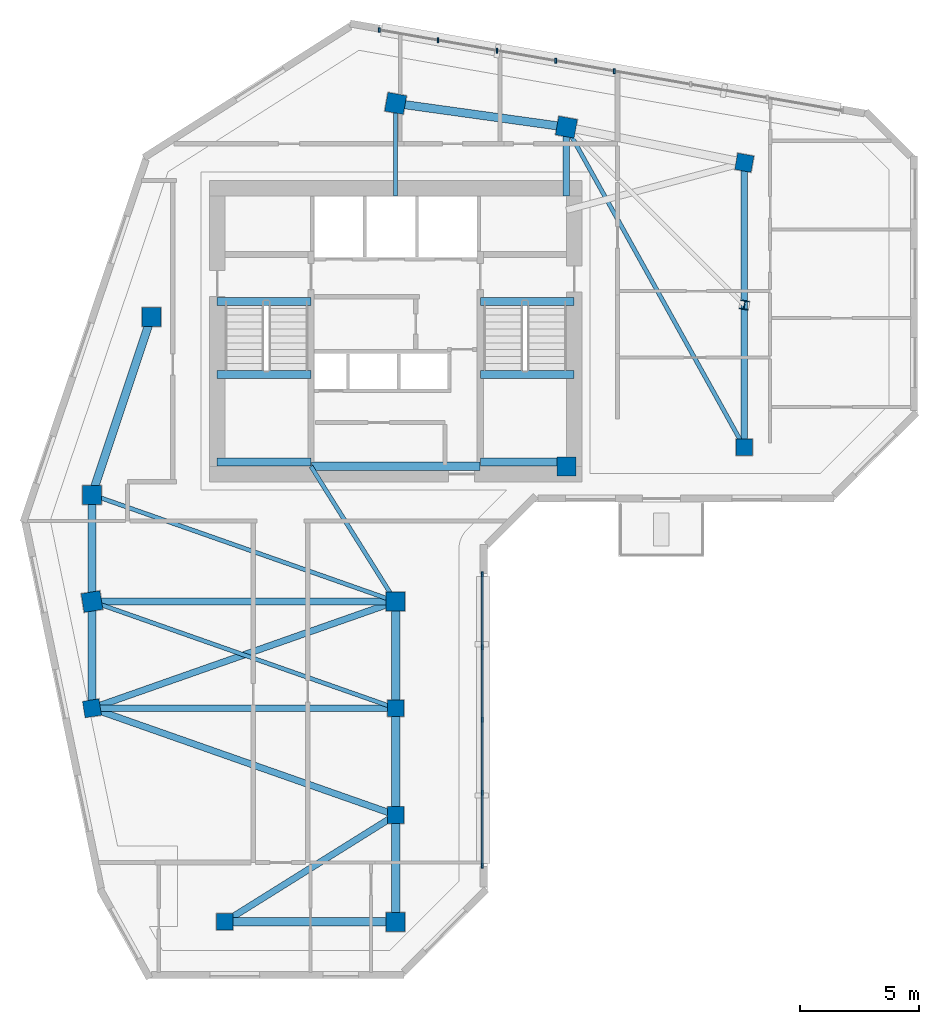
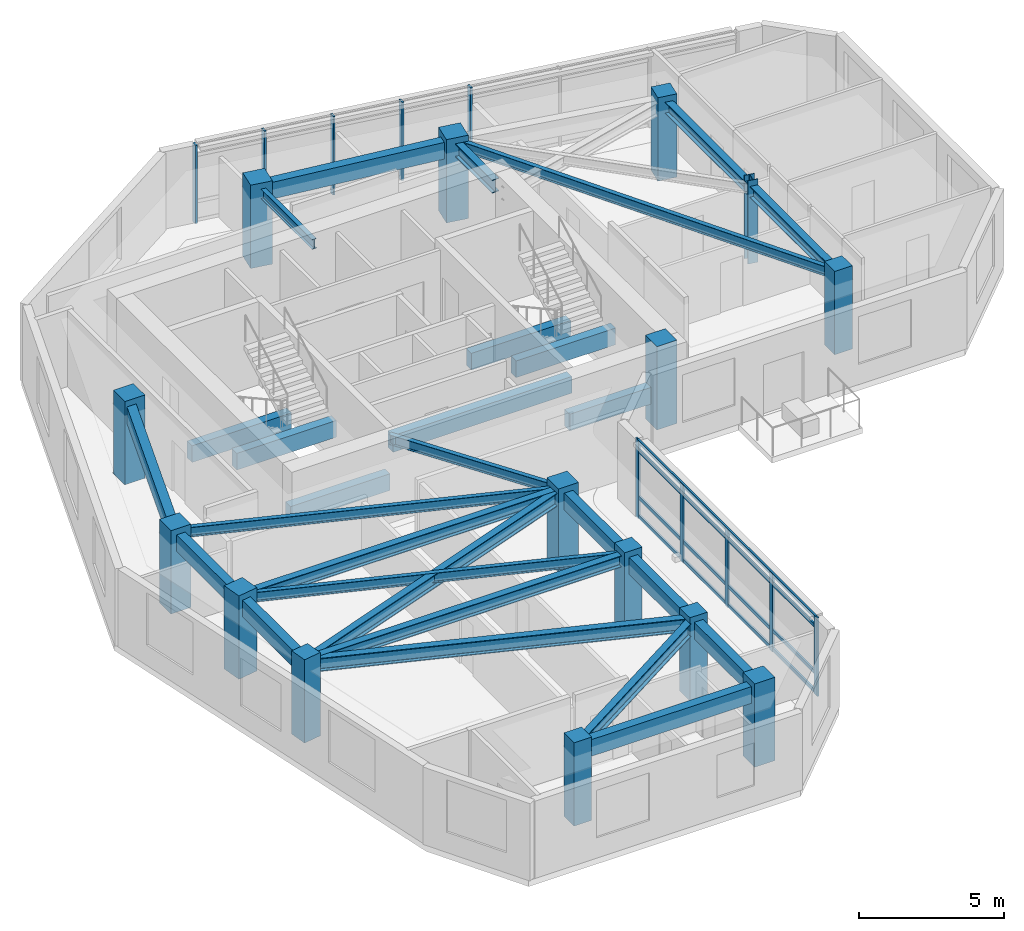
# One storey, part 1 of 9: 27 beams, 15 columns, 14 members, 2 elements without a shape of their own.
"""IFC4 building model written with IfcOpenShell, lengths in metres."""

from ifc_helpers import new_model, si_unit, direction, frame, origin, origin_2d, place, context, subcontext, project, spatial, rectangle, i_section, extrude, source, transform, mapped, material, material_profile, profile_set, type_object, element, aggregate, save


model = new_model("IFC4")

# Units and contexts
model_context = context("Model", 3, precision=1e-05, world=origin(), true_north=direction((0.0, 1.0)))
body_context = subcontext(model_context, "Body", "Model", "MODEL_VIEW")
ifc_project = project(units=[si_unit("LENGTHUNIT", "METRE"), si_unit("AREAUNIT", "SQUARE_METRE"), si_unit("VOLUMEUNIT", "CUBIC_METRE"), si_unit("PLANEANGLEUNIT", "RADIAN"), si_unit("MASSUNIT", "GRAM", prefix="KILO")], contexts=[model_context])

# Site, building, storey
site_placement = place(None, origin())
site = spatial("IfcSite", under=ifc_project, at=site_placement, CompositionType="ELEMENT")
building_placement = place(site_placement, origin())
building = spatial("IfcBuilding", under=site, at=building_placement, Name="Calvemar Wedge Station Tower", CompositionType="ELEMENT")
storey_placement = place(building_placement, frame((0.0, 0.0, 225.39990234375)))
storey = spatial("IfcBuildingStorey", under=building, at=storey_placement, Name="L57", CompositionType="ELEMENT", Elevation=225.39990234375)

# Columns
ifc_material_1 = material(Name="Concrete C50", Category="concrete")
ifc_material_profile_1 = material_profile(ifc_material_1, rectangle(XDim=0.800048828125, YDim=0.800048828125, at=origin_2d()), Name="RC800x800")
ifc_profile_set_1 = profile_set([ifc_material_profile_1], Name="Concrete C50")
column_type_1 = type_object("IfcColumnType", Name="COL-C6-800", PredefinedType="COLUMN", material=ifc_profile_set_1)
shared_shape_1 = source(origin(), body_context, "Body", "SweptSolid", [
    extrude(rectangle(XDim=0.800048828125, YDim=0.800048828125, at=origin_2d()), origin(), (0.0, 0.0, 1.0), 3.5),
])
for number, where, z_axis, x_axis, name in (
    (1, (11.0, 33.0, 0.0), (0.0, 0.0, 1.0), (1.0, 0.0, 0.0), "Storey L57 Column T-NW1"),
    (2, (13.5, 40.5, 0.0), (0.0, 0.0, 1.0), (1.0, 0.0, 0.0), "Storey L57 Column T-NW2"),
    (3, (23.800048828125, 49.5, 0.0), (0.0, 0.0, 1.0), (0.984195607969, -0.17708474032, 0.0), "Storey L57 Column T-N1"),
    (4, (31.0, 48.5, 0.0), (0.0, 0.0, 1.0), (0.984195607969, -0.17708474032, 0.0), "Storey L57 Column T-N2"),
    (5, (31.0, 34.199951171875, 0.0), (0.0, 0.0, 1.0), (1.0, 0.0, 0.0), "Storey L57 Column T-NL1"),
    (6, (11.0, 28.5, 0.0), (0.0, 0.0, 1.0), (0.158158067254, -0.987413806751, 0.0), "Storey L57 Column T-SW1"),
    (7, (23.800048828125, 28.5, 0.0), (0.0, 0.0, 1.0), (1.0, 0.0, 0.0), "Storey L57 Column T-SE1"),
    (8, (23.800048828125, 15.0, 0.0), (0.0, 0.0, 1.0), (1.0, 0.0, 0.0), "Storey L57 Column T-SE4"),
):
    element("IfcColumn", number, at=place(storey_placement, frame(where, z_axis=z_axis, x_axis=x_axis)), inside=storey, type_object=column_type_1, Name=name, PredefinedType="COLUMN", context=body_context, shape_type="MappedRepresentation", body=[
        mapped(shared_shape_1, transform((0.0, 0.0, 0.0), scale=1.0)),
    ])
ifc_material_profile_2 = material_profile(ifc_material_1, rectangle(XDim=0.699951171875, YDim=0.699951171875, at=origin_2d()), Name="RC700x700")
ifc_profile_set_2 = profile_set([ifc_material_profile_2], Name="Concrete C50")
column_type_2 = type_object("IfcColumnType", Name="COL-C7-700", PredefinedType="COLUMN", material=ifc_profile_set_2)
shared_shape_2 = source(origin(), body_context, "Body", "SweptSolid", [
    extrude(rectangle(XDim=0.699951171875, YDim=0.699951171875, at=origin_2d()), origin(), (0.0, 0.0, 1.0), 3.5),
])
for number, where, z_axis, x_axis, name in (
    (9, (38.5, 47.0, 0.0), (0.0, 0.0, 1.0), (0.984195607969, -0.17708474032, 0.0), "Storey L57 Column T-NU3"),
    (10, (38.5, 35.0, 0.0), (0.0, 0.0, 1.0), (1.0, 0.0, 0.0), "Storey L57 Column T-NL2"),
    (11, (11.0, 24.0, 0.0), (0.0, 0.0, 1.0), (0.158158067254, -0.987413806751, 0.0), "Storey L57 Column T-SW2"),
    (12, (23.800048828125, 24.0, 0.0), (0.0, 0.0, 1.0), (1.0, 0.0, 0.0), "Storey L57 Column T-SE2"),
    (13, (23.800048828125, 19.5, 0.0), (0.0, 0.0, 1.0), (1.0, 0.0, 0.0), "Storey L57 Column T-SE3"),
    (14, (16.60009765625, 15.0, 0.0), (0.0, 0.0, 1.0), (1.0, 0.0, 0.0), "Storey L57 Column T-SM1"),
):
    element("IfcColumn", number, at=place(storey_placement, frame(where, z_axis=z_axis, x_axis=x_axis)), inside=storey, type_object=column_type_2, Name=name, PredefinedType="COLUMN", context=body_context, shape_type="MappedRepresentation", body=[
        mapped(shared_shape_2, transform((0.0, 0.0, 0.0), scale=1.0)),
    ])
ifc_material_2 = material(Name="Structural steel ASTM A572 Grade 50", Category="steel")
ifc_material_profile_3 = material_profile(ifc_material_2, i_section(OverallWidth=0.3740234375, OverallDepth=0.3720703125, WebThickness=0.016357421875, FlangeThickness=0.026123046875, FilletRadius=0.014892578125, at=origin_2d()), Name="W360x196")
ifc_profile_set_3 = profile_set([ifc_material_profile_3], Name="Structural steel ASTM A572 Grade 50")
column_type_3 = type_object("IfcColumnType", Name="COL-STL-W360", PredefinedType="COLUMN", material=ifc_profile_set_3)
shared_shape_3 = source(origin(), body_context, "Body", "SweptSolid", [
    extrude(i_section(OverallWidth=0.3740234375, OverallDepth=0.3720703125, WebThickness=0.016357421875, FlangeThickness=0.026123046875, FilletRadius=0.014892578125, at=origin_2d()), origin(), (0.0, 0.0, 1.0), 3.5),
])
column_placement = place(storey_placement, frame((38.5, 41.0, 0.0), z_axis=(0.0, 0.0, 1.0), x_axis=(0.984195607969, -0.17708474032, 0.0)))
element("IfcColumn", 15, at=column_placement, inside=storey, type_object=column_type_3, Name="Storey L57 Column T-NTIP-B", PredefinedType="COLUMN", context=body_context, shape_type="MappedRepresentation", body=[
    mapped(shared_shape_3, transform((0.0, 0.0, 0.0), scale=1.0)),
])

# Beams
ifc_material_profile_4 = material_profile(ifc_material_2, i_section(OverallWidth=0.177978515625, OverallDepth=0.406982421875, WebThickness=0.0078125, FlangeThickness=0.0126953125, FilletRadius=0.010009765625, at=origin_2d()), Name="W410x60")
ifc_profile_set_4 = profile_set([ifc_material_profile_4], Name="Structural steel ASTM A572 Grade 50")
beam_type_1 = type_object("IfcBeamType", Name="BM-J3-W410", PredefinedType="JOIST", material=ifc_profile_set_4)
shared_shape_4 = source(origin(), body_context, "Body", "SweptSolid", [
    extrude(i_section(OverallWidth=0.177978515625, OverallDepth=0.406982421875, WebThickness=0.0078125, FlangeThickness=0.0126953125, FilletRadius=0.010009765625, at=origin_2d()), origin(), (0.0, 0.0, 1.0), 15.443359375),
])
beam_1_placement = place(storey_placement, frame((31.0, 48.5, 3.046630859375), z_axis=(0.485642931179, -0.874157276122, 0.0), x_axis=(0.874157276122, 0.485642931179, 0.0)))
element("IfcBeam", 16, at=beam_1_placement, inside=storey, type_object=beam_type_1, Name="Storey L57 Floor Beam T-N2-T-NL2", PredefinedType="JOIST", context=body_context, shape_type="MappedRepresentation", body=[
    mapped(shared_shape_4, transform((0.0, 0.0, 0.0), scale=1.0)),
])
shared_shape_5 = source(origin(), body_context, "Body", "SweptSolid", [
    extrude(i_section(OverallWidth=0.177978515625, OverallDepth=0.406982421875, WebThickness=0.0078125, FlangeThickness=0.0126953125, FilletRadius=0.010009765625, at=origin_2d()), origin(), (0.0, 0.0, 1.0), 13.568115234375),
])
for number, where, z_axis, x_axis, name in (
    (17, (11.0, 33.0, 3.046630859375), (0.943398221169, -0.331662171939, 0.0), (0.331662171939, 0.943398221169, 0.0), "Storey L57 Floor Beam T-NW1-T-SE1"),
    (18, (11.0, 28.5, 3.046630859375), (0.943398221169, -0.331662171939, 0.0), (0.331662171939, 0.943398221169, 0.0), "Storey L57 Floor Beam T-SW1-T-SE2"),
):
    element("IfcBeam", number, at=place(storey_placement, frame(where, z_axis=z_axis, x_axis=x_axis)), inside=storey, type_object=beam_type_1, Name=name, PredefinedType="JOIST", context=body_context, shape_type="MappedRepresentation", body=[
        mapped(shared_shape_5, transform((0.0, 0.0, 0.0), scale=1.0)),
    ])
ifc_material_profile_5 = material_profile(ifc_material_2, i_section(OverallWidth=0.279052734375, OverallDepth=0.553955078125, WebThickness=0.017578125, FlangeThickness=0.029541015625, FilletRadius=0.014892578125, at=origin_2d()), Name="W530x196")
ifc_profile_set_5 = profile_set([ifc_material_profile_5], Name="Structural steel ASTM A572 Grade 50")
beam_type_2 = type_object("IfcBeamType", Name="BM-SB3-W530H", PredefinedType="BEAM", material=ifc_profile_set_5)
shared_shape_6 = source(origin(), body_context, "Body", "SweptSolid", [
    extrude(i_section(OverallWidth=0.279052734375, OverallDepth=0.553955078125, WebThickness=0.017578125, FlangeThickness=0.029541015625, FilletRadius=0.014892578125, at=origin_2d()), origin(), (0.0, 0.0, 1.0), 13.568115234375),
])
for number, where, z_axis, x_axis, name in (
    (19, (23.800048828125, 28.5, 2.97314453125), (-0.943398221169, -0.331662171939, 0.0), (0.331662171939, -0.943398221169, 0.0), "Storey L57 Floor Beam T-SE1-T-SW2"),
    (20, (11.0, 24.0, 2.97314453125), (0.943398221169, -0.331662171939, 0.0), (0.331662171939, 0.943398221169, 0.0), "Storey L57 Floor Beam T-SW2-T-SE3"),
):
    element("IfcBeam", number, at=place(storey_placement, frame(where, z_axis=z_axis, x_axis=x_axis)), inside=storey, type_object=beam_type_2, Name=name, PredefinedType="BEAM", context=body_context, shape_type="MappedRepresentation", body=[
        mapped(shared_shape_6, transform((0.0, 0.0, 0.0), scale=1.0)),
    ])
shared_shape_7 = source(origin(), body_context, "Body", "SweptSolid", [
    extrude(i_section(OverallWidth=0.279052734375, OverallDepth=0.553955078125, WebThickness=0.017578125, FlangeThickness=0.029541015625, FilletRadius=0.014892578125, at=origin_2d()), origin(), (0.0, 0.0, 1.0), 8.490478515625),
])
beam_2_placement = place(storey_placement, frame((23.800048828125, 19.5, 2.97314453125), z_axis=(-0.847996688584, -0.530001524668, 0.0), x_axis=(0.530001524668, -0.847996688584, 0.0)))
element("IfcBeam", 21, at=beam_2_placement, inside=storey, type_object=beam_type_2, Name="Storey L57 Floor Beam T-SE3-T-SM1", PredefinedType="BEAM", context=body_context, shape_type="MappedRepresentation", body=[
    mapped(shared_shape_7, transform((0.0, 0.0, 0.0), scale=1.0)),
])
shared_shape_8 = source(origin(), body_context, "Body", "SweptSolid", [
    extrude(i_section(OverallWidth=0.177978515625, OverallDepth=0.406982421875, WebThickness=0.0078125, FlangeThickness=0.0126953125, FilletRadius=0.010009765625, at=origin_2d()), origin(), (0.0, 0.0, 1.0), 3.89990234375),
])
beam_3_placement = place(storey_placement, frame((23.800048828125, 45.60009765625, 3.046630859375), z_axis=(0.0, 1.0, 0.0), x_axis=(-1.0, 0.0, 0.0)))
element("IfcBeam", 22, at=beam_3_placement, inside=storey, type_object=beam_type_1, Name="Storey L57 Core-to-Column Joist CJ-N1", PredefinedType="JOIST", context=body_context, shape_type="MappedRepresentation", body=[
    mapped(shared_shape_8, transform((0.0, 0.0, 0.0), scale=1.0)),
])
shared_shape_9 = source(origin(), body_context, "Body", "SweptSolid", [
    extrude(i_section(OverallWidth=0.279052734375, OverallDepth=0.553955078125, WebThickness=0.017578125, FlangeThickness=0.029541015625, FilletRadius=0.014892578125, at=origin_2d()), origin(), (0.0, 0.0, 1.0), 2.89990234375),
])
beam_4_placement = place(storey_placement, frame((31.0, 45.60009765625, 2.97314453125), z_axis=(0.0, 1.0, 0.0), x_axis=(-1.0, 0.0, 0.0)))
element("IfcBeam", 23, at=beam_4_placement, inside=storey, type_object=beam_type_2, Name="Storey L57 Core-to-Column Joist CJ-N2", PredefinedType="BEAM", context=body_context, shape_type="MappedRepresentation", body=[
    mapped(shared_shape_9, transform((0.0, 0.0, 0.0), scale=1.0)),
])
shared_shape_10 = source(origin(), body_context, "Body", "SweptSolid", [
    extrude(i_section(OverallWidth=0.177978515625, OverallDepth=0.406982421875, WebThickness=0.0078125, FlangeThickness=0.0126953125, FilletRadius=0.010009765625, at=origin_2d()), origin(), (0.0, 0.0, 1.0), 6.7255859375),
])
beam_5_placement = place(storey_placement, frame((20.22998046875, 34.199951171875, 3.046630859375), z_axis=(0.530811158438, -0.847490126242, 0.0), x_axis=(0.847490126242, 0.530811158438, 0.0)))
element("IfcBeam", 24, at=beam_5_placement, inside=storey, type_object=beam_type_1, Name="Storey L57 Core-to-Column Joist CJ-S2", PredefinedType="JOIST", context=body_context, shape_type="MappedRepresentation", body=[
    mapped(shared_shape_10, transform((0.0, 0.0, 0.0), scale=1.0)),
])
ifc_material_3 = material(Name="Concrete C70", Category="concrete")
ifc_material_profile_6 = material_profile(ifc_material_3, rectangle(XDim=0.35009765625, YDim=0.699951171875, at=origin_2d()), Name="RC350x700")
ifc_profile_set_6 = profile_set([ifc_material_profile_6], Name="Concrete C70")
beam_type_3 = type_object("IfcBeamType", Name="BM-LN1-700", PredefinedType="LINTEL", material=ifc_profile_set_6)
shared_shape_11 = source(origin(), body_context, "Body", "SweptSolid", [
    extrude(rectangle(XDim=0.35009765625, YDim=0.699951171875, at=origin_2d()), origin(), (0.0, 0.0, 1.0), 7.10009765625),
])
beam_6_placement = place(storey_placement, frame((20.25, 34.199951171875, 2.900146484375), z_axis=(1.0, 0.0, 0.0), x_axis=(0.0, 1.0, 0.0)))
element("IfcBeam", 25, at=beam_6_placement, inside=storey, type_object=beam_type_3, Name="Storey L57 Core Coupling Lintel South", PredefinedType="LINTEL", context=body_context, shape_type="MappedRepresentation", body=[
    mapped(shared_shape_11, transform((0.0, 0.0, 0.0), scale=1.0)),
])
shared_shape_12 = source(origin(), body_context, "Body", "SweptSolid", [
    extrude(rectangle(XDim=0.35009765625, YDim=0.699951171875, at=origin_2d()), origin(), (0.0, 0.0, 1.0), 3.955078125),
])
for number, where, z_axis, x_axis, name in (
    (26, (16.27490234375, 41.14990234375, -0.349853515625), (1.0, 0.0, 0.0), (0.0, 1.0, 0.0), "Storey L57 Stair ST-C1 Landing Trimmer Beam"),
    (27, (16.27490234375, 34.3798828125, 1.2001953125), (1.0, 0.0, 0.0), (0.0, 1.0, 0.0), "Storey L57 Stair ST-C1 Half-Landing Beam 1A"),
    (28, (16.27490234375, 38.070068359375, 1.2001953125), (1.0, 0.0, 0.0), (0.0, 1.0, 0.0), "Storey L57 Stair ST-C1 Half-Landing Beam 1B"),
):
    element("IfcBeam", number, at=place(storey_placement, frame(where, z_axis=z_axis, x_axis=x_axis)), inside=storey, type_object=beam_type_3, Name=name, PredefinedType="LINTEL", context=body_context, shape_type="MappedRepresentation", body=[
        mapped(shared_shape_12, transform((0.0, 0.0, 0.0), scale=1.0)),
    ])
shared_shape_13 = source(origin(), body_context, "Body", "SweptSolid", [
    extrude(rectangle(XDim=0.35009765625, YDim=0.699951171875, at=origin_2d()), origin(), (0.0, 0.0, 1.0), 3.954833984375),
])
for number, where, z_axis, x_axis, name in (
    (29, (27.3701171875, 41.14990234375, -0.349853515625), (1.0, 0.0, 0.0), (0.0, 1.0, 0.0), "Storey L57 Stair ST-C2 Landing Trimmer Beam"),
    (30, (27.3701171875, 34.3798828125, 1.2001953125), (1.0, 0.0, 0.0), (0.0, 1.0, 0.0), "Storey L57 Stair ST-C2 Half-Landing Beam 1A"),
    (31, (27.3701171875, 38.070068359375, 1.2001953125), (1.0, 0.0, 0.0), (0.0, 1.0, 0.0), "Storey L57 Stair ST-C2 Half-Landing Beam 1B"),
):
    element("IfcBeam", number, at=place(storey_placement, frame(where, z_axis=z_axis, x_axis=x_axis)), inside=storey, type_object=beam_type_3, Name=name, PredefinedType="LINTEL", context=body_context, shape_type="MappedRepresentation", body=[
        mapped(shared_shape_13, transform((0.0, 0.0, 0.0), scale=1.0)),
    ])
ifc_material_profile_7 = material_profile(ifc_material_1, rectangle(XDim=0.35009765625, YDim=0.699951171875, at=origin_2d()), Name="RC350x700")
ifc_profile_set_7 = profile_set([ifc_material_profile_7], Name="Concrete C50")
beam_type_4 = type_object("IfcBeamType", Name="BM-SP2-700", PredefinedType="SPANDREL", material=ifc_profile_set_7)
shared_shape_14 = source(origin(), body_context, "Body", "SweptSolid", [
    extrude(rectangle(XDim=0.35009765625, YDim=0.699951171875, at=origin_2d()), origin(), (0.0, 0.0, 1.0), 7.90576171875),
])
beam_7_placement = place(storey_placement, frame((11.0, 33.0, 2.900146484375), z_axis=(0.316227766017, 0.948683298051, 0.0), x_axis=(-0.948683298051, 0.316227766017, 0.0)))
element("IfcBeam", 32, at=beam_7_placement, inside=storey, type_object=beam_type_4, Name="Storey L57 Spandrel T-NW1-T-NW2", PredefinedType="SPANDREL", context=body_context, shape_type="MappedRepresentation", body=[
    mapped(shared_shape_14, transform((0.0, 0.0, 0.0), scale=1.0)),
])
shared_shape_15 = source(origin(), body_context, "Body", "SweptSolid", [
    extrude(rectangle(XDim=0.35009765625, YDim=0.699951171875, at=origin_2d()), origin(), (0.0, 0.0, 1.0), 7.26904296875),
])
beam_8_placement = place(storey_placement, frame((23.800048828125, 49.5, 2.900146484375), z_axis=(0.990492146053, -0.13756928657, 0.0), x_axis=(0.13756928657, 0.990492146053, 0.0)))
element("IfcBeam", 33, at=beam_8_placement, inside=storey, type_object=beam_type_4, Name="Storey L57 Spandrel T-N1-T-N2", PredefinedType="SPANDREL", context=body_context, shape_type="MappedRepresentation", body=[
    mapped(shared_shape_15, transform((0.0, 0.0, 0.0), scale=1.0)),
])
ifc_material_profile_8 = material_profile(ifc_material_2, i_section(OverallWidth=0.283935546875, OverallDepth=0.47607421875, WebThickness=0.014892578125, FlangeThickness=0.02392578125, FilletRadius=0.014892578125, at=origin_2d()), Name="W460x158")
ifc_profile_set_8 = profile_set([ifc_material_profile_8], Name="Structural steel ASTM A572 Grade 50")
beam_type_5 = type_object("IfcBeamType", Name="BM-SB5-W460H", PredefinedType="BEAM", material=ifc_profile_set_8)
shared_shape_16 = source(origin(), body_context, "Body", "SweptSolid", [
    extrude(i_section(OverallWidth=0.283935546875, OverallDepth=0.47607421875, WebThickness=0.014892578125, FlangeThickness=0.02392578125, FilletRadius=0.014892578125, at=origin_2d()), origin(), (0.0, 0.0, 1.0), 12.0),
])
beam_9_placement = place(storey_placement, frame((38.5, 47.0, 3.01220703125), z_axis=(0.0, -1.0, 0.0), x_axis=(1.0, 0.0, 0.0)))
element("IfcBeam", 34, at=beam_9_placement, inside=storey, type_object=beam_type_5, Name="Storey L57 Floor Beam T-NU3-T-NL2", PredefinedType="BEAM", context=body_context, shape_type="MappedRepresentation", body=[
    mapped(shared_shape_16, transform((0.0, 0.0, 0.0), scale=1.0)),
])
shared_shape_17 = source(origin(), body_context, "Body", "SweptSolid", [
    extrude(rectangle(XDim=0.35009765625, YDim=0.699951171875, at=origin_2d()), origin(), (0.0, 0.0, 1.0), 4.5),
])
for number, where, z_axis, x_axis, name in (
    (35, (11.0, 33.0, 2.900146484375), (0.0, -1.0, 0.0), (1.0, 0.0, 0.0), "Storey L57 Spandrel T-NW1-T-SW1"),
    (36, (11.0, 28.5, 2.900146484375), (0.0, -1.0, 0.0), (1.0, 0.0, 0.0), "Storey L57 Spandrel T-SW1-T-SW2"),
    (37, (23.800048828125, 28.5, 2.900146484375), (0.0, -1.0, 0.0), (1.0, 0.0, 0.0), "Storey L57 Spandrel T-SE1-T-SE2"),
    (38, (23.800048828125, 24.0, 2.900146484375), (0.0, -1.0, 0.0), (1.0, 0.0, 0.0), "Storey L57 Spandrel T-SE2-T-SE3"),
    (39, (23.800048828125, 19.5, 2.900146484375), (0.0, -1.0, 0.0), (1.0, 0.0, 0.0), "Storey L57 Spandrel T-SE3-T-SE4"),
):
    element("IfcBeam", number, at=place(storey_placement, frame(where, z_axis=z_axis, x_axis=x_axis)), inside=storey, type_object=beam_type_4, Name=name, PredefinedType="SPANDREL", context=body_context, shape_type="MappedRepresentation", body=[
        mapped(shared_shape_17, transform((0.0, 0.0, 0.0), scale=1.0)),
    ])
shared_shape_18 = source(origin(), body_context, "Body", "SweptSolid", [
    extrude(rectangle(XDim=0.35009765625, YDim=0.699951171875, at=origin_2d()), origin(), (0.0, 0.0, 1.0), 7.199951171875),
])
beam_10_placement = place(storey_placement, frame((16.60009765625, 15.0, 2.900146484375), z_axis=(1.0, 0.0, 0.0), x_axis=(0.0, 1.0, 0.0)))
element("IfcBeam", 40, at=beam_10_placement, inside=storey, type_object=beam_type_4, Name="Storey L57 Spandrel T-SM1-T-SE4", PredefinedType="SPANDREL", context=body_context, shape_type="MappedRepresentation", body=[
    mapped(shared_shape_18, transform((0.0, 0.0, 0.0), scale=1.0)),
])
shared_shape_19 = source(origin(), body_context, "Body", "SweptSolid", [
    extrude(i_section(OverallWidth=0.283935546875, OverallDepth=0.47607421875, WebThickness=0.014892578125, FlangeThickness=0.02392578125, FilletRadius=0.014892578125, at=origin_2d()), origin(), (0.0, 0.0, 1.0), 12.800048828125),
])
for number, where, z_axis, x_axis, name in (
    (41, (11.0, 28.5, 3.01220703125), (1.0, 0.0, 0.0), (0.0, 1.0, 0.0), "Storey L57 Floor Beam T-SW1-T-SE1"),
    (42, (11.0, 24.0, 3.01220703125), (1.0, 0.0, 0.0), (0.0, 1.0, 0.0), "Storey L57 Floor Beam T-SW2-T-SE2"),
):
    element("IfcBeam", number, at=place(storey_placement, frame(where, z_axis=z_axis, x_axis=x_axis)), inside=storey, type_object=beam_type_5, Name=name, PredefinedType="BEAM", context=body_context, shape_type="MappedRepresentation", body=[
        mapped(shared_shape_19, transform((0.0, 0.0, 0.0), scale=1.0)),
    ])

# Curtain wall, members
ifc_material_4 = material(Name="Anodised aluminium 6063-T6", Category="aluminium")
curtain_wall_type = type_object("IfcCurtainWallType", Name="CW3", PredefinedType="NOTDEFINED", material=ifc_material_4)
curtain_wall_1_placement = place(storey_placement, origin())
curtain_wall_1 = element("IfcCurtainWall", 43, at=curtain_wall_1_placement, inside=storey, type_object=curtain_wall_type, Name="Storey L57 CW3 Recessed Unitised Curtain Wall 4", PredefinedType="NOTDEFINED")
ifc_material_profile_9 = material_profile(ifc_material_4, rectangle(XDim=0.074951171875, YDim=0.2099609375, at=origin_2d()), Name="AL-MUL-75x210")
ifc_profile_set_9 = profile_set([ifc_material_profile_9], Name="Anodised aluminium 6063-T6")
member_type_1 = type_object("IfcMemberType", Name="CW3-MUL", PredefinedType="MULLION", material=ifc_profile_set_9)
shared_shape_20 = source(origin(), body_context, "Body", "SweptSolid", [
    extrude(rectangle(XDim=0.074951171875, YDim=0.2099609375, at=origin_2d()), origin(), (0.0, 0.0, 1.0), 3.2998046875),
])
member_1_placement = place(storey_placement, frame((27.4541015625, 17.362060546875, -0.0498046875), z_axis=(0.0, 0.0, 1.0), x_axis=(1.0, 0.0, 0.0)))
member_1 = element("IfcMember", 44, at=member_1_placement, type_object=member_type_1, Name="CW3 mullion 1", PredefinedType="MULLION", context=body_context, shape_type="MappedRepresentation", body=[
    mapped(shared_shape_20, transform((0.0, 0.0, 0.0), scale=1.0)),
])
member_2_placement = place(storey_placement, frame((27.4541015625, 20.43505859375, -0.0498046875), z_axis=(0.0, 0.0, 1.0), x_axis=(1.0, 0.0, 0.0)))
member_2 = element("IfcMember", 45, at=member_2_placement, type_object=member_type_1, Name="CW3 mullion 2", PredefinedType="MULLION", context=body_context, shape_type="MappedRepresentation", body=[
    mapped(shared_shape_20, transform((0.0, 0.0, 0.0), scale=1.0)),
])
member_3_placement = place(storey_placement, frame((27.4541015625, 23.508056640625, -0.0498046875), z_axis=(0.0, 0.0, 1.0), x_axis=(1.0, 0.0, 0.0)))
member_3 = element("IfcMember", 46, at=member_3_placement, type_object=member_type_1, Name="CW3 mullion 3", PredefinedType="MULLION", context=body_context, shape_type="MappedRepresentation", body=[
    mapped(shared_shape_20, transform((0.0, 0.0, 0.0), scale=1.0)),
])
member_4_placement = place(storey_placement, frame((27.4541015625, 26.5810546875, -0.0498046875), z_axis=(0.0, 0.0, 1.0), x_axis=(1.0, 0.0, 0.0)))
member_4 = element("IfcMember", 47, at=member_4_placement, type_object=member_type_1, Name="CW3 mullion 4", PredefinedType="MULLION", context=body_context, shape_type="MappedRepresentation", body=[
    mapped(shared_shape_20, transform((0.0, 0.0, 0.0), scale=1.0)),
])
member_5_placement = place(storey_placement, frame((27.4541015625, 29.654052734375, -0.0498046875), z_axis=(0.0, 0.0, 1.0), x_axis=(1.0, 0.0, 0.0)))
member_5 = element("IfcMember", 48, at=member_5_placement, type_object=member_type_1, Name="CW3 mullion 5", PredefinedType="MULLION", context=body_context, shape_type="MappedRepresentation", body=[
    mapped(shared_shape_20, transform((0.0, 0.0, 0.0), scale=1.0)),
])

curtain_wall_2_placement = place(storey_placement, origin())
curtain_wall_2 = element("IfcCurtainWall", 49, at=curtain_wall_2_placement, inside=storey, type_object=curtain_wall_type, Name="Storey L57 CW3 Recessed Unitised Curtain Wall 10", PredefinedType="NOTDEFINED")
member_6_placement = place(storey_placement, frame((33.021484375, 50.861572265625, -0.0498046875), z_axis=(0.0, 0.0, 1.0), x_axis=(1.0, 0.0, 0.0)))
member_6 = element("IfcMember", 50, at=member_6_placement, type_object=member_type_1, Name="CW3 mullion 4", PredefinedType="MULLION", context=body_context, shape_type="MappedRepresentation", body=[
    mapped(shared_shape_20, transform((0.0, 0.0, 0.0), scale=1.0)),
])
member_7_placement = place(storey_placement, frame((30.54638671875, 51.2939453125, -0.0498046875), z_axis=(0.0, 0.0, 1.0), x_axis=(1.0, 0.0, 0.0)))
member_7 = element("IfcMember", 51, at=member_7_placement, type_object=member_type_1, Name="CW3 mullion 5", PredefinedType="MULLION", context=body_context, shape_type="MappedRepresentation", body=[
    mapped(shared_shape_20, transform((0.0, 0.0, 0.0), scale=1.0)),
])
member_8_placement = place(storey_placement, frame((28.071533203125, 51.726318359375, -0.0498046875), z_axis=(0.0, 0.0, 1.0), x_axis=(1.0, 0.0, 0.0)))
member_8 = element("IfcMember", 52, at=member_8_placement, type_object=member_type_1, Name="CW3 mullion 6", PredefinedType="MULLION", context=body_context, shape_type="MappedRepresentation", body=[
    mapped(shared_shape_20, transform((0.0, 0.0, 0.0), scale=1.0)),
])
member_9_placement = place(storey_placement, frame((25.588134765625, 52.159912109375, -0.0498046875), z_axis=(0.0, 0.0, 1.0), x_axis=(1.0, 0.0, 0.0)))
member_9 = element("IfcMember", 53, at=member_9_placement, type_object=member_type_1, Name="CW3 mullion 7", PredefinedType="MULLION", context=body_context, shape_type="MappedRepresentation", body=[
    mapped(shared_shape_20, transform((0.0, 0.0, 0.0), scale=1.0)),
])
member_10_placement = place(storey_placement, frame((23.104736328125, 52.59375, -0.0498046875), z_axis=(0.0, 0.0, 1.0), x_axis=(1.0, 0.0, 0.0)))
member_10 = element("IfcMember", 54, at=member_10_placement, type_object=member_type_1, Name="CW3 mullion 8", PredefinedType="MULLION", context=body_context, shape_type="MappedRepresentation", body=[
    mapped(shared_shape_20, transform((0.0, 0.0, 0.0), scale=1.0)),
])
aggregate(curtain_wall_2, [member_6, member_7, member_8, member_9, member_10])

# Member
ifc_material_profile_10 = material_profile(ifc_material_4, rectangle(XDim=0.074951171875, YDim=0.14501953125, at=origin_2d()), Name="AL-TRN-75x145")
ifc_profile_set_10 = profile_set([ifc_material_profile_10], Name="Anodised aluminium 6063-T6")
member_type_2 = type_object("IfcMemberType", Name="CW3-TRN", PredefinedType="USERDEFINED", material=ifc_profile_set_10)
shared_shape_21 = source(origin(), body_context, "Body", "SweptSolid", [
    extrude(rectangle(XDim=0.074951171875, YDim=0.14501953125, at=origin_2d()), origin(), (0.0, 0.0, 1.0), 12.2919921875),
])
member_11_placement = place(storey_placement, frame((27.4541015625, 17.362060546875, 0.06005859375), z_axis=(0.0, 1.0, 0.0), x_axis=(-1.0, 0.0, 0.0)))
member_11 = element("IfcMember", 55, at=member_11_placement, type_object=member_type_2, Name="CW3 transom 1", ObjectType="TRANSOM", PredefinedType="USERDEFINED", context=body_context, shape_type="MappedRepresentation", body=[
    mapped(shared_shape_21, transform((0.0, 0.0, 0.0), scale=1.0)),
])

member_12_placement = place(storey_placement, frame((27.4541015625, 17.362060546875, 0.85009765625), z_axis=(0.0, 1.0, 0.0), x_axis=(-1.0, 0.0, 0.0)))
member_12 = element("IfcMember", 56, at=member_12_placement, type_object=member_type_2, Name="CW3 transom 2", ObjectType="TRANSOM", PredefinedType="USERDEFINED", context=body_context, shape_type="MappedRepresentation", body=[
    mapped(shared_shape_21, transform((0.0, 0.0, 0.0), scale=1.0)),
])

member_13_placement = place(storey_placement, frame((27.4541015625, 17.362060546875, 2.800048828125), z_axis=(0.0, 1.0, 0.0), x_axis=(-1.0, 0.0, 0.0)))
member_13 = element("IfcMember", 57, at=member_13_placement, type_object=member_type_2, Name="CW3 transom 3", ObjectType="TRANSOM", PredefinedType="USERDEFINED", context=body_context, shape_type="MappedRepresentation", body=[
    mapped(shared_shape_21, transform((0.0, 0.0, 0.0), scale=1.0)),
])

member_14_placement = place(storey_placement, frame((27.4541015625, 17.362060546875, 3.190185546875), z_axis=(0.0, 1.0, 0.0), x_axis=(-1.0, 0.0, 0.0)))
member_14 = element("IfcMember", 58, at=member_14_placement, type_object=member_type_2, Name="CW3 transom 4", ObjectType="TRANSOM", PredefinedType="USERDEFINED", context=body_context, shape_type="MappedRepresentation", body=[
    mapped(shared_shape_21, transform((0.0, 0.0, 0.0), scale=1.0)),
])

aggregate(curtain_wall_1, [member_1, member_2, member_3, member_4, member_5, member_11, member_12, member_13, member_14])

save(model, "model.ifc")
